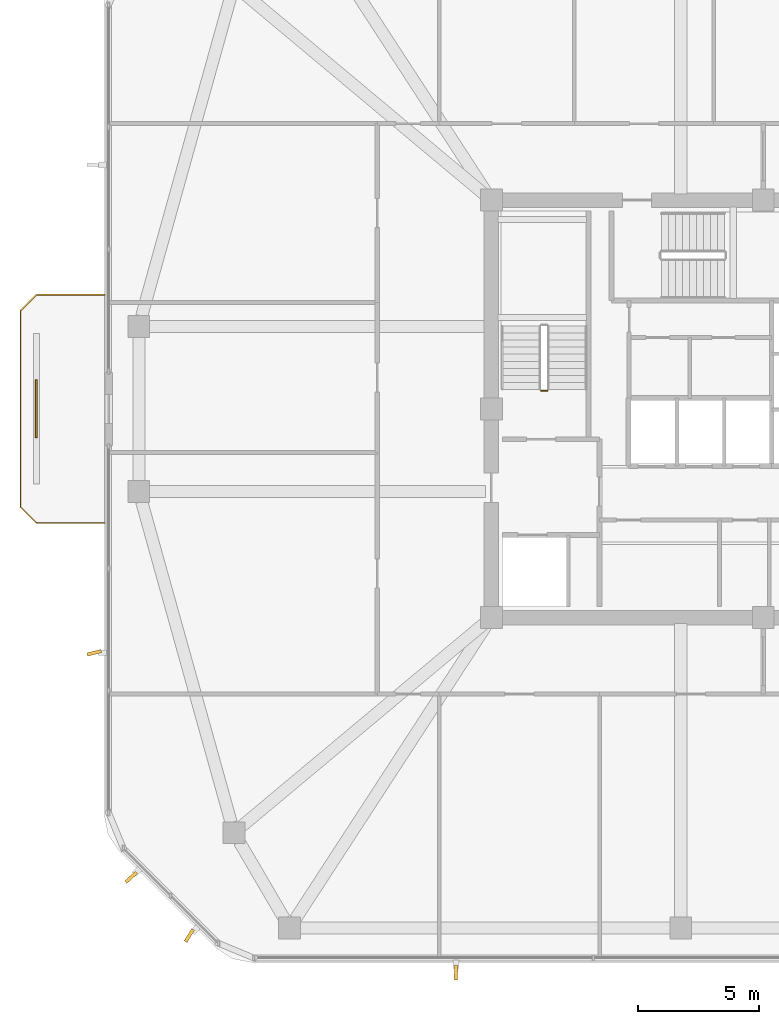
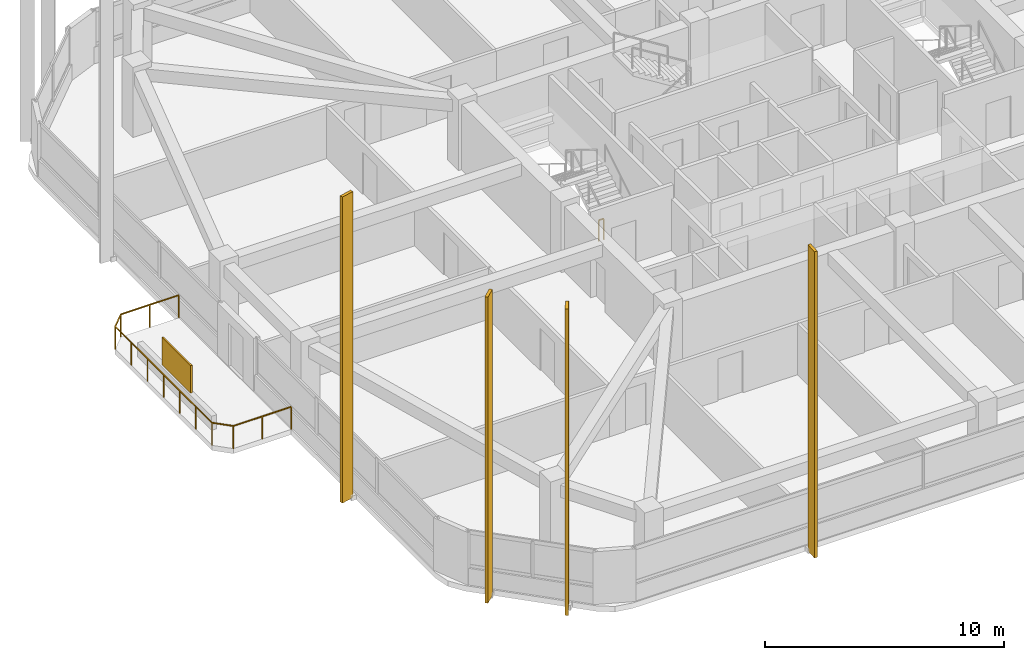
# One storey, part 14 of 17: 5 shading devices, 2 railings.
"""IFC4 building model written with IfcOpenShell, lengths in metres."""

import ifcopenshell
import ifcopenshell.guid

model = None  # the IFC model being written
_history = None  # IfcOwnerHistory: only IFC2X3 demands one
_inside = {}  # id of a spatial element -> (the spatial element, [elements in it])
_under = {}  # id of a project, library or spatial element -> (it, [spatial elements below it])
_declared = {}  # id of a project -> (the project, [libraries it declares])
_typed = {}  # id of a type object -> (the type object, [elements of that type])
_made_of = {}  # id of a material, layer set ... -> (it, [elements and type objects made of it])


def new_model(schema):
    """Start an empty IFC model of exactly this schema.

    Asked for "IFC4X3", IfcOpenShell would pick the latest addendum, in which some entities
    have other attributes; the version numbers below select the first issue.
    IFC2X3 requires an IfcOwnerHistory on every rooted entity: one is made here for all.
    """
    global model, _history
    if schema == "IFC4X3":
        model = ifcopenshell.file(schema_version=(4, 3, 0, 0))
    else:
        model = ifcopenshell.file(schema=schema)
    _inside.clear()
    _under.clear()
    _declared.clear()
    _typed.clear()
    _made_of.clear()
    _history = None
    if model.schema == "IFC2X3":
        org = make("IfcOrganization", Name="unknown")
        user = make(
            "IfcPersonAndOrganization",
            ThePerson=make("IfcPerson", FamilyName="unknown"),
            TheOrganization=org,
        )
        app = make(
            "IfcApplication",
            ApplicationDeveloper=org,
            Version="unknown",
            ApplicationFullName="unknown",
            ApplicationIdentifier="unknown",
        )
        _history = make(
            "IfcOwnerHistory",
            OwningUser=user,
            OwningApplication=app,
            ChangeAction="ADDED",
            CreationDate=0,
        )
    return model


def make(cls, **values):
    """One entity of the class cls with the attributes given. An attribute that is None is left unset."""
    return model.create_entity(
        cls, **{name: value for name, value in values.items() if value is not None}
    )


def rooted(cls, **values):
    """An entity with a GlobalId (a new one), such as an element, a storey or a relation."""
    return make(cls, GlobalId=ifcopenshell.guid.new(), OwnerHistory=_history, **values)


def si_unit(unit_type, name, prefix=None):
    """IfcSIUnit, for example si_unit("LENGTHUNIT", "METRE", prefix="MILLI")."""
    return make("IfcSIUnit", UnitType=unit_type, Prefix=prefix, Name=name)


def derived_unit(unit_type, elements):
    """IfcDerivedUnit: a product of units, each with its exponent."""
    return make(
        "IfcDerivedUnit",
        Elements=[
            make("IfcDerivedUnitElement", Unit=unit, Exponent=power)
            for unit, power in elements
        ],
        UnitType=unit_type,
    )


def assignment(units):
    """IfcUnitAssignment: the units of a project."""
    return None if units is None else make("IfcUnitAssignment", Units=units)


def point(xyz):
    """IfcCartesianPoint."""
    return None if xyz is None else make("IfcCartesianPoint", Coordinates=xyz)


def direction(xyz):
    """IfcDirection."""
    return None if xyz is None else make("IfcDirection", DirectionRatios=xyz)


def frame(location, z_axis=None, x_axis=None):
    """IfcAxis2Placement3D, a coordinate frame: its origin and axes. An axis left out is left unset."""
    return make(
        "IfcAxis2Placement3D",
        Location=point(location),
        Axis=direction(z_axis),
        RefDirection=direction(x_axis),
    )


def frame_2d(location, x_axis=None):
    """IfcAxis2Placement2D, a coordinate frame in the plane: its origin and x axis."""
    return make(
        "IfcAxis2Placement2D", Location=point(location), RefDirection=direction(x_axis)
    )


def origin():
    """The frame at (0, 0, 0) with its axes left unset."""
    return frame((0.0, 0.0, 0.0))


def origin_2d():
    """The frame at (0, 0) in the plane with its x axis left unset."""
    return frame_2d((0.0, 0.0))


def place(relative_to, where):
    """IfcLocalPlacement: puts the frame where relative to a parent placement (None: the world)."""
    return make(
        "IfcLocalPlacement", PlacementRelTo=relative_to, RelativePlacement=where
    )


def context(
    kind, dimensions, precision=None, world=None, true_north=None, identifier=None
):
    """IfcGeometricRepresentationContext, for example the 3D "Model" context."""
    return make(
        "IfcGeometricRepresentationContext",
        ContextIdentifier=identifier,
        ContextType=kind,
        CoordinateSpaceDimension=dimensions,
        Precision=precision,
        WorldCoordinateSystem=world,
        TrueNorth=true_north,
    )


def subcontext(parent, identifier, kind, view, scale=None):
    """IfcGeometricRepresentationSubContext, for example "Body" below "Model"."""
    return make(
        "IfcGeometricRepresentationSubContext",
        ContextIdentifier=identifier,
        ContextType=kind,
        ParentContext=parent,
        TargetScale=scale,
        TargetView=view,
    )


def project(units=None, contexts=None):
    """IfcProject with its units and contexts."""
    return rooted(
        "IfcProject",
        Name="project",
        RepresentationContexts=contexts,
        UnitsInContext=assignment(units),
    )


def spatial(cls, under=None, at=None, **own):
    """A site, building, storey or space (cls), placed at a placement, below another one or the project."""
    s = rooted(cls, ObjectPlacement=at, **own)
    if under is not None:
        _under.setdefault(under.id(), (under, []))[1].append(s)
    return s


def profile(cls, at=None, kind="AREA", **sizes):
    """A parametric profile (cls). Its sizes go by their IFC names, for example OverallWidth=200.0."""
    return make(cls, ProfileType=kind, Position=at, **sizes)


def rectangle(**sizes):
    """IfcRectangleProfileDef."""
    return profile("IfcRectangleProfileDef", **sizes)


def extrude(swept, where, along, depth):
    """IfcExtrudedAreaSolid: the profile swept, set in the frame where, extruded along a direction by depth."""
    return make(
        "IfcExtrudedAreaSolid",
        SweptArea=swept,
        Position=where,
        ExtrudedDirection=direction(along),
        Depth=depth,
    )


def shape(context_of_items, identifier, shape_type, items):
    """IfcShapeRepresentation: the items that make up one representation, for example the "Body"."""
    return make(
        "IfcShapeRepresentation",
        ContextOfItems=context_of_items,
        RepresentationIdentifier=identifier,
        RepresentationType=shape_type,
        Items=items,
    )


def material(Name=None, Category=None):
    """IfcMaterial."""
    return make("IfcMaterial", Name=Name, Category=Category)


def layer(
    of_material, thickness, ventilated=None, Name=None, Category=None, Priority=None
):
    """IfcMaterialLayer: one layer of a wall or slab, of a material (None: an air gap)."""
    return make(
        "IfcMaterialLayer",
        Material=of_material,
        LayerThickness=thickness,
        IsVentilated=ventilated,
        Name=Name,
        Category=Category,
        Priority=Priority,
    )


def layer_set(layers, Name=None):
    """IfcMaterialLayerSet."""
    return make("IfcMaterialLayerSet", MaterialLayers=layers, LayerSetName=Name)


def made_of(thing, what):
    """Note that an element or type object is made of a material, layer set ...; save() writes the relation."""
    if what is not None:
        _made_of.setdefault(what.id(), (what, []))[1].append(thing)
    return thing


def type_object(cls, material=None, **own):
    """A type object (cls), such as IfcWallType, which elements share."""
    return made_of(rooted(cls, **own), material)


def element(
    cls,
    number,
    at=None,
    inside=None,
    cuts=None,
    type_object=None,
    material=None,
    context=None,
    identifier="Body",
    shape_type=None,
    held_by="IfcProductDefinitionShape",
    body=None,
    shapes=None,
    **own,
):
    """One element of the class cls, such as IfcWall. Its Tag is "e" and its number.

    at: its placement. inside: the storey or other place that contains it. cuts: it is an
    opening in that element (IfcRelVoidsElement). A single representation is given by context,
    identifier, shape_type and body (its items); several are given by shapes. held_by: the class
    of the entity that holds the representations. save() writes the other relations.
    """
    e = rooted(cls, Tag="e%d" % number, ObjectPlacement=at, **own)
    if body is not None:
        shapes = [shape(context, identifier, shape_type, body)]
    if shapes is not None:
        e.Representation = make(held_by, Representations=shapes)
    if inside is not None:
        _inside.setdefault(inside.id(), (inside, []))[1].append(e)
    if cuts is not None:
        rooted(
            "IfcRelVoidsElement", RelatingBuildingElement=cuts, RelatedOpeningElement=e
        )
    if type_object is not None:
        _typed.setdefault(type_object.id(), (type_object, []))[1].append(e)
    return made_of(e, material)


def aggregate(whole, parts):
    """IfcRelAggregates: a whole, such as a stair, and the parts it consists of."""
    return rooted("IfcRelAggregates", RelatingObject=whole, RelatedObjects=parts)


def save(model, path):
    """Write the relations noted so far, then the file.

    IfcRelAggregates (storeys below a building ...), IfcRelContainedInSpatialStructure (elements
    in a storey), IfcRelDefinesByType, IfcRelAssociatesMaterial and IfcRelDeclares: one each for
    every whole, place, type object, material and project.
    """
    for whole, parts in _under.values():
        aggregate(whole, parts)
    for where, things in _inside.values():
        rooted(
            "IfcRelContainedInSpatialStructure",
            RelatedElements=things,
            RelatingStructure=where,
        )
    for kind, things in _typed.values():
        rooted("IfcRelDefinesByType", RelatedObjects=things, RelatingType=kind)
    for what, things in _made_of.values():
        rooted("IfcRelAssociatesMaterial", RelatedObjects=things, RelatingMaterial=what)
    for by, libraries in _declared.values():
        rooted("IfcRelDeclares", RelatingContext=by, RelatedDefinitions=libraries)
    model.write(path)


model = new_model("IFC4")

# Units and contexts
model_context = context("Model", 3, precision=1e-05, world=origin(), true_north=direction((0.0, 1.0)))
body_context = subcontext(model_context, "Body", "Model", "MODEL_VIEW")
ifc_project = project(units=[si_unit("LENGTHUNIT", "METRE"), si_unit("AREAUNIT", "SQUARE_METRE"), si_unit("VOLUMEUNIT", "CUBIC_METRE"), si_unit("PLANEANGLEUNIT", "RADIAN"), si_unit("MASSUNIT", "GRAM", prefix="KILO"), derived_unit("THERMALTRANSMITTANCEUNIT", [(si_unit("POWERUNIT", "WATT"), 1), (si_unit("LENGTHUNIT", "METRE"), -2), (si_unit("THERMODYNAMICTEMPERATUREUNIT", "KELVIN"), -1)])], contexts=[model_context])

# Site, building, storey
site_placement = place(None, origin())
site = spatial("IfcSite", under=ifc_project, at=site_placement, CompositionType="ELEMENT")
building_placement = place(site_placement, origin())
building = spatial("IfcBuilding", under=site, at=building_placement, Name="Koralith Skygarden Medical Center", CompositionType="ELEMENT")
storey_placement = place(building_placement, frame((0.0, 0.0, 221.580078125)))
storey = spatial("IfcBuildingStorey", under=building, at=storey_placement, Name="L57", CompositionType="ELEMENT", Elevation=221.580078125)

# Shading devices
ifc_material_1 = material(Name="Aluminium 6063-T6", Category="aluminium")
shading_device_type_1 = type_object("IfcShadingDeviceType", Name="Limestone-Clad Solar Storm Fin 600", PredefinedType="USERDEFINED", material=ifc_material_1)
for number, where, z_axis, x_axis, name in (
    (1, (24.344970703125, 2.679931640625, -0.199951171875), (0.0, 0.0, 1.0), (-0.048082727417, -0.99884335675, 0.0), "L57 S Harmonic Solar Storm Fin 1"),
    (2, (9.43798828125, 15.85009765625, -0.199951171875), (0.0, 0.0, 1.0), (-0.971449828236, -0.23724508682, 0.0), "L57 W Harmonic Solar Storm Fin 2"),
    (3, (10.9619140625, 6.60205078125, -0.199951171875), (0.0, 0.0, 1.0), (-0.740288533515, -0.672289288287, 0.0), "L57 SW Harmonic Solar Storm Fin 1"),
    (4, (13.360107421875, 4.2041015625, -0.199951171875), (0.0, 0.0, 1.0), (-0.519161151435, -0.854676370822, 0.0), "L57 SW Harmonic Solar Storm Fin 2"),
):
    element("IfcShadingDevice", number, at=place(storey_placement, frame(where, z_axis=z_axis, x_axis=x_axis)), inside=storey, type_object=shading_device_type_1, Name=name, ObjectType="SOLAR FIN", PredefinedType="USERDEFINED", context=body_context, shape_type="SweptSolid", body=[
        extrude(rectangle(XDim=0.60009765625, YDim=0.139892578125, at=origin_2d()), origin(), (0.0, 0.0, 1.0), 15.6298828125),
    ])

# Railing
ifc_material_2 = material(Name="Steel ASTM A500 Grade C", Category="steel")
railing_type_1 = type_object("IfcRailingType", Name="Outdoor Terrace & Balcony Safety Guardrail 1180", PredefinedType="GUARDRAIL", material=ifc_material_2)
railing_1_placement = place(storey_placement, frame((9.85791015625, 21.199951171875, 0.0)))
element("IfcRailing", 5, at=railing_1_placement, inside=storey, type_object=railing_type_1, Name="L57 W Balcony Perimeter Guardrail", PredefinedType="GUARDRAIL", context=body_context, shape_type="SweptSolid", body=[
    extrude(rectangle(XDim=0.050048828125, YDim=0.050048828125, at=origin_2d()), frame((-0.001953125, 0.0, 1.15478515625), z_axis=(-1.0, 0.0, 0.0), x_axis=(0.0, -1.0, 0.0)), (0.0, 0.0, 1.0), 2.7958984375),
    extrude(rectangle(XDim=0.050048828125, YDim=0.050048828125, at=origin_2d()), frame((-2.80126953125, 0.00146484375, 1.15478515625), z_axis=(-0.707106781187, 0.707106781187, 0.0), x_axis=(-0.707106781187, -0.707106781187, 0.0)), (0.0, 0.0, 1.0), 0.91552734375),
    extrude(rectangle(XDim=0.050048828125, YDim=0.050048828125, at=origin_2d()), frame((-3.449951171875, 0.652099609375, 1.15478515625), z_axis=(0.0, 1.0, 0.0), x_axis=(-1.0, 0.0, 0.0)), (0.0, 0.0, 1.0), 8.095947265625),
    extrude(rectangle(XDim=0.050048828125, YDim=0.050048828125, at=origin_2d()), frame((-3.448486328125, 8.75146484375, 1.15478515625), z_axis=(0.707106781187, 0.707106781187, 0.0), x_axis=(-0.707106781187, 0.707106781187, 0.0)), (0.0, 0.0, 1.0), 0.91552734375),
    extrude(rectangle(XDim=0.050048828125, YDim=0.050048828125, at=origin_2d()), frame((-2.7978515625, 9.400146484375, 1.15478515625), z_axis=(1.0, 0.0, 0.0), x_axis=(0.0, 1.0, 0.0)), (0.0, 0.0, 1.0), 2.7958984375),
    extrude(rectangle(XDim=0.0419921875, YDim=0.0419921875, at=origin_2d()), origin(), (0.0, 0.0, 1.0), 1.1279296875),
    extrude(rectangle(XDim=0.0419921875, YDim=0.0419921875, at=origin_2d()), frame((-1.39990234375, 0.0, 0.0)), (0.0, 0.0, 1.0), 1.1279296875),
    extrude(rectangle(XDim=0.0419921875, YDim=0.0419921875, at=origin_2d()), frame((-2.7998046875, 0.0, 0.0)), (0.0, 0.0, 1.0), 1.1279296875),
    extrude(rectangle(XDim=0.0419921875, YDim=0.0419921875, at=origin_2d()), frame((-3.449951171875, 0.650146484375, 0.0)), (0.0, 0.0, 1.0), 1.1279296875),
    extrude(rectangle(XDim=0.0419921875, YDim=0.0419921875, at=origin_2d()), frame((-3.449951171875, 2.0, 0.0)), (0.0, 0.0, 1.0), 1.1279296875),
    extrude(rectangle(XDim=0.0419921875, YDim=0.0419921875, at=origin_2d()), frame((-3.449951171875, 3.35009765625, 0.0)), (0.0, 0.0, 1.0), 1.1279296875),
    extrude(rectangle(XDim=0.0419921875, YDim=0.0419921875, at=origin_2d()), frame((-3.449951171875, 4.7001953125, 0.0)), (0.0, 0.0, 1.0), 1.1279296875),
    extrude(rectangle(XDim=0.0419921875, YDim=0.0419921875, at=origin_2d()), frame((-3.449951171875, 6.050048828125, 0.0)), (0.0, 0.0, 1.0), 1.1279296875),
    extrude(rectangle(XDim=0.0419921875, YDim=0.0419921875, at=origin_2d()), frame((-3.449951171875, 7.39990234375, 0.0)), (0.0, 0.0, 1.0), 1.1279296875),
    extrude(rectangle(XDim=0.0419921875, YDim=0.0419921875, at=origin_2d()), frame((-3.449951171875, 8.75, 0.0)), (0.0, 0.0, 1.0), 1.1279296875),
    extrude(rectangle(XDim=0.0419921875, YDim=0.0419921875, at=origin_2d()), frame((-2.7998046875, 9.400146484375, 0.0)), (0.0, 0.0, 1.0), 1.1279296875),
    extrude(rectangle(XDim=0.0419921875, YDim=0.0419921875, at=origin_2d()), frame((-1.39990234375, 9.400146484375, 0.0)), (0.0, 0.0, 1.0), 1.1279296875),
    extrude(rectangle(XDim=0.0419921875, YDim=0.0419921875, at=origin_2d()), frame((0.0, 9.400146484375, 0.0)), (0.0, 0.0, 1.0), 1.1279296875),
])

# Shading device
ifc_layer = layer(ifc_material_1, 0.080078125)
ifc_layer_set = layer_set([ifc_layer], Name="Aluminium 6063-T6")
shading_device_type_2 = type_object("IfcShadingDeviceType", Name="Perforated Biophilic Balcony Trellis Screen", PredefinedType="USERDEFINED", material=ifc_layer_set)
shading_device_placement = place(storey_placement, frame((7.05810546875, 25.89990234375, 0.719970703125), z_axis=(0.0, 0.0, 1.0), x_axis=(0.0, 1.0, 0.0)))
element("IfcShadingDevice", 6, at=shading_device_placement, inside=storey, type_object=shading_device_type_2, Name="L57 W Biophilic Balcony Trellis Screen", ObjectType="HURRICANE SCREEN", PredefinedType="USERDEFINED", context=body_context, shape_type="SweptSolid", body=[
    extrude(rectangle(XDim=2.39990234375, YDim=0.080078125, at=origin_2d()), origin(), (0.0, 0.0, 1.0), 1.39990234375),
])

# Railing
railing_type_2 = type_object("IfcRailingType", Name="Stair Well Safety Guardrail 1100", PredefinedType="GUARDRAIL", material=ifc_material_2)
railing_2_placement = place(storey_placement, frame((28.10009765625, 26.64990234375, 0.0)))
element("IfcRailing", 7, at=railing_2_placement, inside=storey, type_object=railing_type_2, Name="L57 ST1 stair guard 4", PredefinedType="GUARDRAIL", context=body_context, shape_type="SweptSolid", body=[
    extrude(rectangle(XDim=0.050048828125, YDim=0.050048828125, at=origin_2d()), frame((-0.001953125, 0.0, 1.0751953125), z_axis=(-1.0, 0.0, 0.0), x_axis=(0.0, -1.0, 0.0)), (0.0, 0.0, 1.0), 0.24609375),
    extrude(rectangle(XDim=0.0419921875, YDim=0.0419921875, at=origin_2d()), origin(), (0.0, 0.0, 1.0), 1.048095703125),
    extrude(rectangle(XDim=0.0419921875, YDim=0.0419921875, at=origin_2d()), frame((-0.25, 0.0, 0.0)), (0.0, 0.0, 1.0), 1.048095703125),
])

save(model, "model.ifc")
